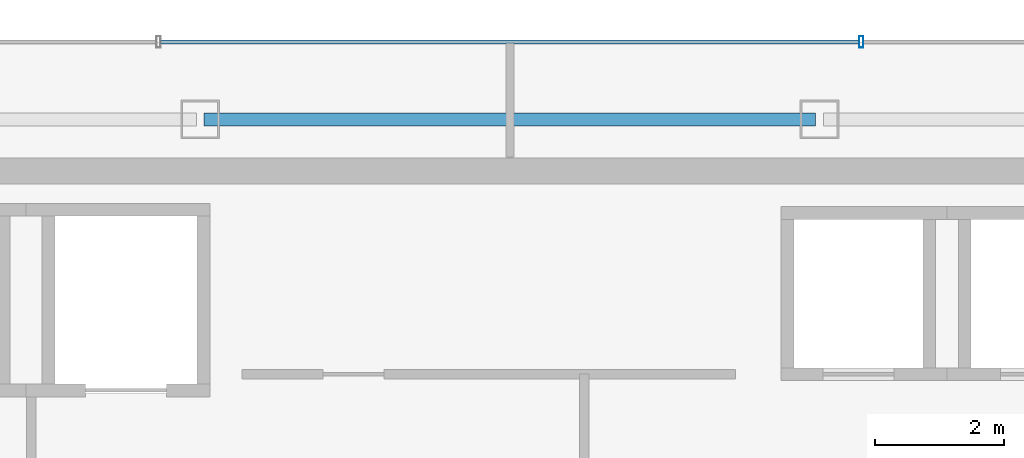
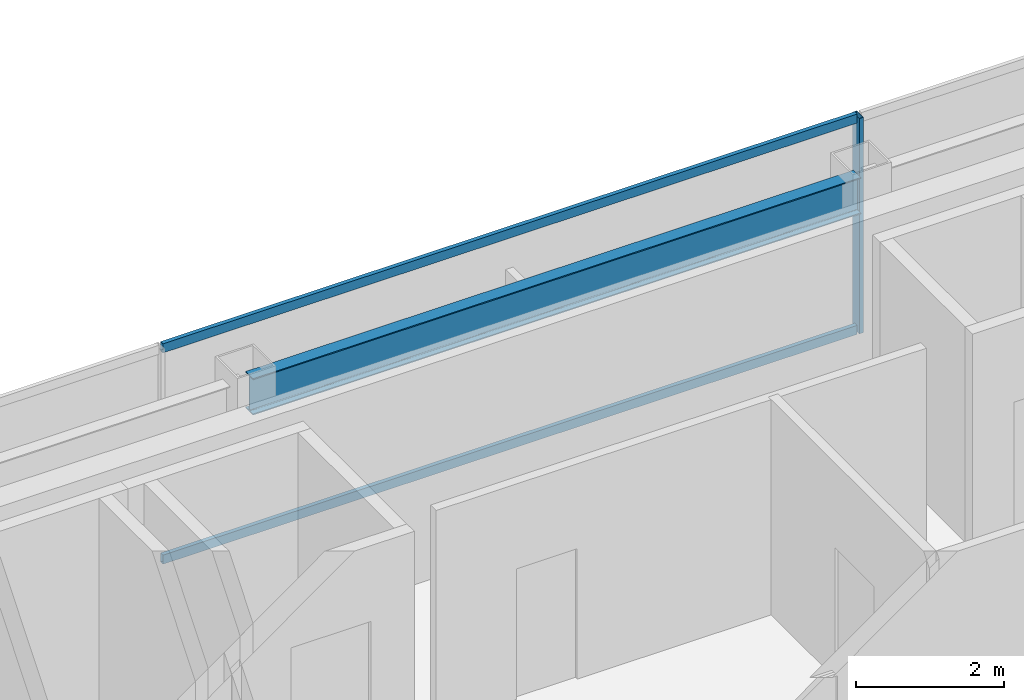
# One storey, part 11 of 24: 3 members, 1 beam, 1 element without a shape of its own.
"""IFC4 building model written with IfcOpenShell, lengths in metres."""

from ifc_helpers import new_model, si_unit, direction, frame, origin, origin_2d, place, context, subcontext, project, spatial, hollow_rectangle, i_section, extrude, material, material_profile, profile_set, type_object, element, aggregate, save


model = new_model("IFC4")

# Units and contexts
model_context = context("Model", 3, precision=1e-05, world=origin(), true_north=direction((0.0, 1.0)))
body_context = subcontext(model_context, "Body", "Model", "MODEL_VIEW")
ifc_project = project(units=[si_unit("LENGTHUNIT", "METRE"), si_unit("AREAUNIT", "SQUARE_METRE"), si_unit("VOLUMEUNIT", "CUBIC_METRE"), si_unit("PLANEANGLEUNIT", "RADIAN"), si_unit("MASSUNIT", "GRAM", prefix="KILO")], contexts=[model_context])

# Site, building, storey
site_placement = place(None, origin())
site = spatial("IfcSite", under=ifc_project, at=site_placement, CompositionType="ELEMENT")
building_placement = place(site_placement, origin())
building = spatial("IfcBuilding", under=site, at=building_placement, Name="Saevonmaru Cultural Tower", CompositionType="ELEMENT")
storey_placement = place(building_placement, frame((0.0, 0.0, 299.0)))
storey = spatial("IfcBuildingStorey", under=building, at=storey_placement, Name="L71", CompositionType="ELEMENT", Elevation=299.0)

# Beam
ifc_material_1 = material(Name="Steel SM355", Category="steel")
ifc_material_profile_1 = material_profile(ifc_material_1, i_section(OverallWidth=0.199951171875, OverallDepth=0.60009765625, WebThickness=0.010986328125, FlangeThickness=0.01708984375, FilletRadius=0.02197265625, at=origin_2d()), Name="H-600x200x11x17")
ifc_profile_set_1 = profile_set([ifc_material_profile_1], Name="Steel SM355")
beam_type = type_object("IfcBeamType", Name="BM-SP-H600", PredefinedType="SPANDREL", material=ifc_profile_set_1)
beam_placement = place(storey_placement, frame((25.260009765625, 54.800048828125, 3.25), z_axis=(1.0, 0.0, 0.0), x_axis=(0.0, 1.0, 0.0)))
element("IfcBeam", 1, at=beam_placement, inside=storey, type_object=beam_type, Name="L71 North Spine Girder 3", PredefinedType="SPANDREL", context=body_context, shape_type="SweptSolid", body=[
    extrude(i_section(OverallWidth=0.199951171875, OverallDepth=0.60009765625, WebThickness=0.010986328125, FlangeThickness=0.01708984375, FilletRadius=0.02197265625, at=origin_2d()), origin(), (0.0, 0.0, 1.0), 9.47998046875),
])

# Curtain wall, members
ifc_material_2 = material(Name="Satin Bronze Anodised Aluminium", Category="aluminium")
curtain_wall_type = type_object("IfcCurtainWallType", Name="CW-TYP-B", PredefinedType="NOTDEFINED", material=ifc_material_2)
curtain_wall_placement = place(storey_placement, origin())
curtain_wall = element("IfcCurtainWall", 2, at=curtain_wall_placement, inside=storey, type_object=curtain_wall_type, Name="L71 North Spine Unitised Curtain Wall E10B", PredefinedType="NOTDEFINED")
ifc_material_profile_2 = material_profile(ifc_material_2, hollow_rectangle(XDim=0.06494140625, YDim=0.179931640625, WallThickness=0.00390625, at=origin_2d()), Name="ALU-MULL-180x65x4")
ifc_profile_set_2 = profile_set([ifc_material_profile_2], Name="Satin Bronze Anodised Aluminium")
member_type_1 = type_object("IfcMemberType", Name="ML-CW-180x65", PredefinedType="MULLION", material=ifc_profile_set_2)
member_1_placement = place(storey_placement, frame((35.44677734375, 56.0, 0.0), z_axis=(0.0, 0.0, 1.0), x_axis=(-1.0, 0.0, 0.0)))
member_1 = element("IfcMember", 3, at=member_1_placement, type_object=member_type_1, Name="CW-TW-L71-E10B mullion 2", PredefinedType="MULLION", context=body_context, shape_type="SweptSolid", body=[
    extrude(hollow_rectangle(XDim=0.06494140625, YDim=0.179931640625, WallThickness=0.00390625, at=origin_2d()), origin(), (0.0, 0.0, 1.0), 3.550048828125),
])
ifc_material_profile_3 = material_profile(ifc_material_2, hollow_rectangle(XDim=0.06494140625, YDim=0.14990234375, WallThickness=0.00390625, at=origin_2d()), Name="ALU-TRAN-150x65x4")
ifc_profile_set_3 = profile_set([ifc_material_profile_3], Name="Satin Bronze Anodised Aluminium")
member_type_2 = type_object("IfcMemberType", Name="TR-CW-150x65", PredefinedType="USERDEFINED", material=ifc_profile_set_3)
member_2_placement = place(storey_placement, frame((35.4140625, 56.0, 0.032470703125), z_axis=(-1.0, 0.0, 0.0), x_axis=(0.0, -1.0, 0.0)))
member_2 = element("IfcMember", 4, at=member_2_placement, type_object=member_type_2, Name="CW-TW-L71-E10B transom 2.1", ObjectType="TRANSOM", PredefinedType="USERDEFINED", context=body_context, shape_type="SweptSolid", body=[
    extrude(hollow_rectangle(XDim=0.06494140625, YDim=0.14990234375, WallThickness=0.00390625, at=origin_2d()), origin(), (0.0, 0.0, 1.0), 10.828125),
])
member_3_placement = place(storey_placement, frame((35.4140625, 56.0, 3.517578125), z_axis=(-1.0, 0.0, 0.0), x_axis=(0.0, -1.0, 0.0)))
member_3 = element("IfcMember", 5, at=member_3_placement, type_object=member_type_2, Name="CW-TW-L71-E10B transom 2.2", ObjectType="TRANSOM", PredefinedType="USERDEFINED", context=body_context, shape_type="SweptSolid", body=[
    extrude(hollow_rectangle(XDim=0.06494140625, YDim=0.14990234375, WallThickness=0.00390625, at=origin_2d()), origin(), (0.0, 0.0, 1.0), 10.828125),
])
aggregate(curtain_wall, [member_1, member_2, member_3])

save(model, "model.ifc")
